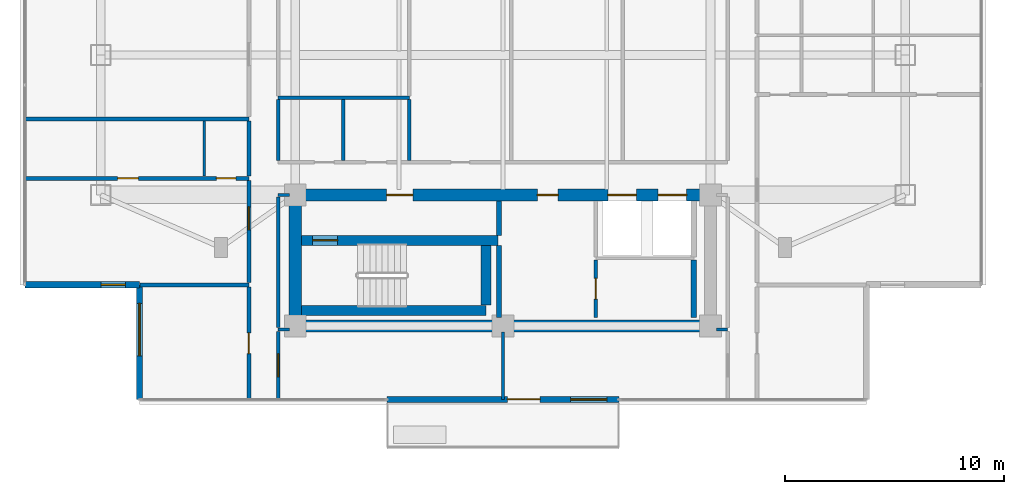
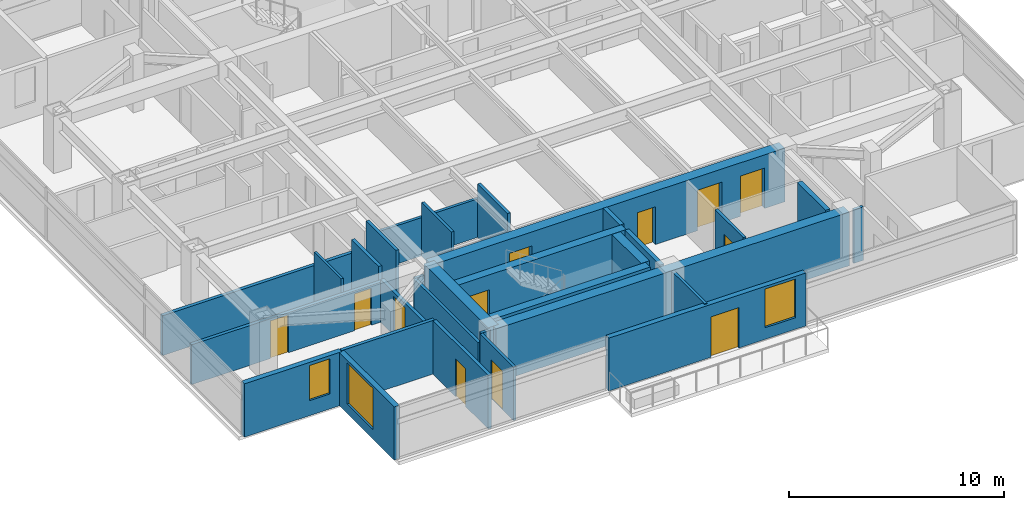
# One storey, part 12 of 25: 30 walls, 12 doors, 3 windows, 15 openings.
"""IFC4 building model written with IfcOpenShell, lengths in metres."""

from ifc_helpers import new_model, si_unit, direction, frame, frame_2d, origin, place, context, subcontext, project, spatial, rectangle, extrude, material, layer, layer_set, type_object, element, fill, save


model = new_model("IFC4")

# Units and contexts
model_context = context("Model", 3, precision=1e-05, world=origin(), true_north=direction((0.0, 1.0)))
body_context = subcontext(model_context, "Body", "Model", "MODEL_VIEW")
ifc_project = project(units=[si_unit("LENGTHUNIT", "METRE"), si_unit("AREAUNIT", "SQUARE_METRE"), si_unit("VOLUMEUNIT", "CUBIC_METRE"), si_unit("PLANEANGLEUNIT", "RADIAN"), si_unit("MASSUNIT", "GRAM", prefix="KILO")], contexts=[model_context])

# Site, building, storey
site_placement = place(None, origin())
site = spatial("IfcSite", under=ifc_project, at=site_placement, CompositionType="ELEMENT")
building_placement = place(site_placement, origin())
building = spatial("IfcBuilding", under=site, at=building_placement, Name="Mirazonda Arch Towers", CompositionType="ELEMENT")
storey_placement = place(building_placement, frame((0.0, 0.0, 180.39990234375)))
storey = spatial("IfcBuildingStorey", under=building, at=storey_placement, Name="L51", CompositionType="ELEMENT", Elevation=180.39990234375)

# Wall
ifc_material_1 = material(Name="Concrete C50/60", Category="concrete")
ifc_layer_1 = layer(ifc_material_1, 0.449951171875, Name="WALL-CORE-450")
ifc_layer_set_1 = layer_set([ifc_layer_1], Name="Concrete C50/60")
wall_type_1 = type_object("IfcWallType", Name="WALL-CORE-450", PredefinedType="SHEAR", material=ifc_layer_set_1)
wall_1_placement = place(storey_placement, frame((11.27001953125, 13.1201171875, 0.0), z_axis=(0.0, 0.0, 1.0), x_axis=(1.0, 0.0, 0.0)))
element("IfcWall", 1, at=wall_1_placement, inside=storey, type_object=wall_type_1, Name="L51 Stair Core Shear Wall 003", PredefinedType="SHEAR", context=body_context, shape_type="SweptSolid", body=[
    extrude(rectangle(XDim=8.4599609375, YDim=0.449951171875, at=frame_2d((4.22998046875, 0.0))), origin(), (0.0, 0.0, 1.0), 3.050048828125),
])

# Wall, opening, door
wall_2_placement = place(storey_placement, frame((11.27001953125, 16.320068359375, 0.0), z_axis=(0.0, 0.0, 1.0), x_axis=(1.0, 0.0, 0.0)))
wall_2 = element("IfcWall", 2, at=wall_2_placement, inside=storey, type_object=wall_type_1, Name="L51 Stair Core Shear Wall 007", PredefinedType="SHEAR", context=body_context, shape_type="SweptSolid", body=[
    extrude(rectangle(XDim=9.010009765625, YDim=0.449951171875, at=frame_2d((4.5048828125, 0.0))), origin(), (0.0, 0.0, 1.0), 3.050048828125),
])
opening_1_placement = place(wall_2_placement, frame((0.52001953125, 0.0, 0.0)))
opening_1 = element("IfcOpeningElement", 3, at=opening_1_placement, cuts=wall_2, Name="Opening DR-135", PredefinedType="OPENING", context=body_context, shape_type="SweptSolid", body=[
    extrude(rectangle(XDim=1.14990234375, YDim=2.199951171875, at=frame_2d((0.574951171875, 1.10009765625))), frame((0.0, 0.23486328125, 0.0), z_axis=(0.0, -1.0, 0.0), x_axis=(1.0, 0.0, 0.0)), (0.0, 0.0, 1.0), 0.469970703125),
])
ifc_material_2 = material(Name="Architectural Brushed Steel S355", Category="steel")
door_type_1 = type_object("IfcDoorType", Name="DOOR-STAIR-FD90-1150", OperationType="NOTDEFINED", PredefinedType="DOOR", material=ifc_material_2)
door_1_placement = place(opening_1_placement, origin())
door_1 = element("IfcDoor", 4, at=door_1_placement, inside=storey, type_object=door_type_1, Name="L51 Protected Exit Stair South Door", OperationType="SINGLE_SWING_RIGHT", OverallHeight=2.199951171875, OverallWidth=1.14990234375, PredefinedType="DOOR", context=body_context, shape_type="SweptSolid", body=[
    extrude(rectangle(XDim=1.14990234375, YDim=2.199951171875, at=frame_2d((0.574951171875, 1.10009765625))), frame((0.0, 0.02490234375, 0.0), z_axis=(0.0, -1.0, 0.0), x_axis=(1.0, 0.0, 0.0)), (0.0, 0.0, 1.0), 0.050048828125),
])
fill(opening_1, door_1)

# Walls
wall_3_placement = place(storey_placement, frame((19.72998046875, 13.35498046875, 0.0), z_axis=(0.0, 0.0, 1.0), x_axis=(0.0, 1.0, 0.0)))
element("IfcWall", 5, at=wall_3_placement, inside=storey, type_object=wall_type_1, Name="L51 Stair Core Shear Wall 084", PredefinedType="SHEAR", context=body_context, shape_type="SweptSolid", body=[
    extrude(rectangle(XDim=2.72998046875, YDim=0.449951171875, at=frame_2d((1.364990234375, 0.0))), origin(), (0.0, 0.0, 1.0), 3.050048828125),
])
ifc_layer_2 = layer(ifc_material_1, 0.550048828125, Name="WALL-CORE-550")
ifc_layer_set_2 = layer_set([ifc_layer_2], Name="Concrete C50/60")
wall_type_2 = type_object("IfcWallType", Name="WALL-CORE-550", PredefinedType="SHEAR", material=ifc_layer_set_2)
wall_4_placement = place(storey_placement, frame((11.0, 12.39990234375, 0.0), z_axis=(0.0, 0.0, 1.0), x_axis=(1.0, 0.0, 0.0)))
element("IfcWall", 6, at=wall_4_placement, inside=storey, type_object=wall_type_2, Name="L51 T1S-S Core Shear Wall", PredefinedType="SHEAR", context=body_context, shape_type="SweptSolid", body=[
    extrude(rectangle(XDim=19.0, YDim=0.550048828125, at=frame_2d((9.5, 0.0))), origin(), (0.0, 0.0, 1.0), 3.050048828125),
])
wall_5_placement = place(storey_placement, frame((11.0, 12.39990234375, 0.0), z_axis=(0.0, 0.0, 1.0), x_axis=(0.0, 1.0, 0.0)))
element("IfcWall", 7, at=wall_5_placement, inside=storey, type_object=wall_type_2, Name="L51 T1S-W Core Shear Wall", PredefinedType="SHEAR", context=body_context, shape_type="SweptSolid", body=[
    extrude(rectangle(XDim=6.0, YDim=0.550048828125, at=frame_2d((3.0, 0.0))), origin(), (0.0, 0.0, 1.0), 3.050048828125),
])

# Wall, openings, doors
wall_6_placement = place(storey_placement, frame((11.0, 18.39990234375, 0.0), z_axis=(0.0, 0.0, 1.0), x_axis=(1.0, 0.0, 0.0)))
wall_6 = element("IfcWall", 8, at=wall_6_placement, inside=storey, type_object=wall_type_2, Name="L51 T1S-N Core Shear Wall", PredefinedType="SHEAR", context=body_context, shape_type="SweptSolid", body=[
    extrude(rectangle(XDim=19.0, YDim=0.550048828125, at=frame_2d((9.5, 0.0))), origin(), (0.0, 0.0, 1.0), 3.050048828125),
])
opening_2_placement = place(wall_6_placement, frame((4.175048828125, 0.0, 0.0)))
opening_2 = element("IfcOpeningElement", 9, at=opening_2_placement, cuts=wall_6, Name="Opening DR-117", PredefinedType="OPENING", context=body_context, shape_type="SweptSolid", body=[
    extrude(rectangle(XDim=1.199951171875, YDim=2.25, at=frame_2d((0.60009765625, 1.125))), frame((0.0, 0.284912109375, 0.0), z_axis=(0.0, -1.0, 0.0), x_axis=(1.0, 0.0, 0.0)), (0.0, 0.0, 1.0), 0.570068359375),
])
opening_3_placement = place(wall_6_placement, frame((11.074951171875, 0.0, 0.0)))
opening_3 = element("IfcOpeningElement", 10, at=opening_3_placement, cuts=wall_6, Name="Opening DR-104", PredefinedType="OPENING", context=body_context, shape_type="SweptSolid", body=[
    extrude(rectangle(XDim=0.949951171875, YDim=2.14990234375, at=frame_2d((0.47509765625, 1.074951171875))), frame((0.0, 0.284912109375, 0.0), z_axis=(0.0, -1.0, 0.0), x_axis=(1.0, 0.0, 0.0)), (0.0, 0.0, 1.0), 0.570068359375),
])
opening_4_placement = place(wall_6_placement, frame((14.300048828125, 0.0, 0.0)))
opening_4 = element("IfcOpeningElement", 11, at=opening_4_placement, cuts=wall_6, Name="Opening LD-111", PredefinedType="OPENING", context=body_context, shape_type="SweptSolid", body=[
    extrude(rectangle(XDim=1.300048828125, YDim=2.300048828125, at=frame_2d((0.64990234375, 1.14990234375))), frame((0.0, 0.284912109375, 0.0), z_axis=(0.0, -1.0, 0.0), x_axis=(1.0, 0.0, 0.0)), (0.0, 0.0, 1.0), 0.570068359375),
])
opening_5_placement = place(wall_6_placement, frame((16.60009765625, 0.0, 0.0)))
opening_5 = element("IfcOpeningElement", 12, at=opening_5_placement, cuts=wall_6, Name="Opening LD-111", PredefinedType="OPENING", context=body_context, shape_type="SweptSolid", body=[
    extrude(rectangle(XDim=1.300048828125, YDim=2.300048828125, at=frame_2d((0.64990234375, 1.14990234375))), frame((0.0, 0.284912109375, 0.0), z_axis=(0.0, -1.0, 0.0), x_axis=(1.0, 0.0, 0.0)), (0.0, 0.0, 1.0), 0.570068359375),
])
door_type_2 = type_object("IfcDoorType", Name="DOOR-FFL-FD90-1200", OperationType="NOTDEFINED", PredefinedType="DOOR", material=ifc_material_2)
door_2_placement = place(opening_2_placement, origin())
door_2 = element("IfcDoor", 13, at=door_2_placement, inside=storey, type_object=door_type_2, Name="L51 South Core Stair & Lift Lobby Door", OperationType="SINGLE_SWING_LEFT", OverallHeight=2.25, OverallWidth=1.199951171875, PredefinedType="DOOR", context=body_context, shape_type="SweptSolid", body=[
    extrude(rectangle(XDim=1.199951171875, YDim=2.25, at=frame_2d((0.60009765625, 1.125))), frame((0.0, 0.02490234375, 0.0), z_axis=(0.0, -1.0, 0.0), x_axis=(1.0, 0.0, 0.0)), (0.0, 0.0, 1.0), 0.050048828125),
])
fill(opening_2, door_2)
door_type_3 = type_object("IfcDoorType", Name="DOOR-LIFT-LAND-1300", OperationType="NOTDEFINED", PredefinedType="DOOR", material=ifc_material_2)
door_3_placement = place(opening_4_placement, origin())
door_3 = element("IfcDoor", 14, at=door_3_placement, inside=storey, type_object=door_type_3, Name="L51 Lift Landing Sliding Door PL-T1H1", OperationType="DOUBLE_DOOR_SLIDING", OverallHeight=2.300048828125, OverallWidth=1.300048828125, PredefinedType="DOOR", context=body_context, shape_type="SweptSolid", body=[
    extrude(rectangle(XDim=1.300048828125, YDim=2.300048828125, at=frame_2d((0.64990234375, 1.14990234375))), frame((0.0, 0.02490234375, 0.0), z_axis=(0.0, -1.0, 0.0), x_axis=(1.0, 0.0, 0.0)), (0.0, 0.0, 1.0), 0.050048828125),
])
fill(opening_4, door_3)
door_4_placement = place(opening_5_placement, origin())
door_4 = element("IfcDoor", 15, at=door_4_placement, inside=storey, type_object=door_type_3, Name="L51 Lift Landing Sliding Door PL-T1H2", OperationType="DOUBLE_DOOR_SLIDING", OverallHeight=2.300048828125, OverallWidth=1.300048828125, PredefinedType="DOOR", context=body_context, shape_type="SweptSolid", body=[
    extrude(rectangle(XDim=1.300048828125, YDim=2.300048828125, at=frame_2d((0.64990234375, 1.14990234375))), frame((0.0, 0.02490234375, 0.0), z_axis=(0.0, -1.0, 0.0), x_axis=(1.0, 0.0, 0.0)), (0.0, 0.0, 1.0), 0.050048828125),
])
fill(opening_5, door_4)
door_type_4 = type_object("IfcDoorType", Name="DOOR-ROOM-950", OperationType="NOTDEFINED", PredefinedType="DOOR", material=ifc_material_2)
door_5_placement = place(opening_3_placement, origin())
door_5 = element("IfcDoor", 16, at=door_5_placement, inside=storey, type_object=door_type_4, Name="L51 Residents Wine Tasting Lounge Door", OperationType="SINGLE_SWING_LEFT", OverallHeight=2.14990234375, OverallWidth=0.949951171875, PredefinedType="DOOR", context=body_context, shape_type="SweptSolid", body=[
    extrude(rectangle(XDim=0.949951171875, YDim=2.14990234375, at=frame_2d((0.47509765625, 1.074951171875))), frame((0.0, 0.02490234375, 0.0), z_axis=(0.0, -1.0, 0.0), x_axis=(1.0, 0.0, 0.0)), (0.0, 0.0, 1.0), 0.050048828125),
])
fill(opening_3, door_5)

# Wall, openings, door, window
ifc_material_3 = material(Name="Precast Concrete C40/50", Category="concrete")
ifc_layer_3 = layer(ifc_material_3, 0.280029296875, Name="WALL-EXT-WALL-280")
ifc_layer_set_3 = layer_set([ifc_layer_3], Name="Precast Concrete C40/50")
wall_type_3 = type_object("IfcWallType", Name="WALL-EXT-WALL-280", PredefinedType="SOLIDWALL", material=ifc_layer_set_3)
wall_7_placement = place(storey_placement, frame((25.800048828125, 9.0458984375, 0.0), z_axis=(0.0, 0.0, 1.0), x_axis=(-1.0, 0.0, 0.0)))
wall_7 = element("IfcWall", 17, at=wall_7_placement, inside=storey, type_object=wall_type_3, Name="L51 T1 Sky-Terrace Threshold Wall WL-TERR-L51-T1", PredefinedType="SOLIDWALL", context=body_context, shape_type="SweptSolid", body=[
    extrude(rectangle(XDim=10.60009765625, YDim=0.280029296875, at=frame_2d((5.300048828125, 0.0))), origin(), (0.0, 0.0, 1.0), 3.010009765625),
])
opening_6_placement = place(wall_7_placement, frame((0.550048828125, 0.0, 0.659912109375)))
opening_6 = element("IfcOpeningElement", 18, at=opening_6_placement, cuts=wall_7, Name="Opening WN-115", PredefinedType="OPENING", context=body_context, shape_type="SweptSolid", body=[
    extrude(rectangle(XDim=1.64990234375, YDim=2.199951171875, at=frame_2d((0.824951171875, 1.10009765625))), frame((0.0, 0.14990234375, 0.0), z_axis=(0.0, -1.0, 0.0), x_axis=(1.0, 0.0, 0.0)), (0.0, 0.0, 1.0), 0.300048828125),
])
opening_7_placement = place(wall_7_placement, frame((3.60009765625, 0.0, 0.0)))
opening_7 = element("IfcOpeningElement", 19, at=opening_7_placement, cuts=wall_7, Name="Opening DR-116", PredefinedType="OPENING", context=body_context, shape_type="SweptSolid", body=[
    extrude(rectangle(XDim=1.5, YDim=2.300048828125, at=frame_2d((0.75, 1.14990234375))), frame((0.0, 0.14990234375, 0.0), z_axis=(0.0, -1.0, 0.0), x_axis=(1.0, 0.0, 0.0)), (0.0, 0.0, 1.0), 0.300048828125),
])
ifc_material_4 = material(Name="Architectural Hardwood Timber", Category="wood")
door_type_5 = type_object("IfcDoorType", Name="DOOR-TERR-EXT-1500", OperationType="NOTDEFINED", PredefinedType="DOOR", material=ifc_material_4)
door_6_placement = place(opening_7_placement, origin())
door_6 = element("IfcDoor", 20, at=door_6_placement, inside=storey, type_object=door_type_5, Name="L51 Exterior Door DR-TERR-L51-T1", OperationType="SINGLE_SWING_LEFT", OverallHeight=2.300048828125, OverallWidth=1.5, PredefinedType="DOOR", context=body_context, shape_type="SweptSolid", body=[
    extrude(rectangle(XDim=1.5, YDim=2.300048828125, at=frame_2d((0.75, 1.14990234375))), frame((0.0, 0.02490234375, 0.0), z_axis=(0.0, -1.0, 0.0), x_axis=(1.0, 0.0, 0.0)), (0.0, 0.0, 1.0), 0.050048828125),
])
fill(opening_7, door_6)
ifc_material_5 = material(Name="Insulated Low-E Solar Glass", Category="glass")
window_type_1 = type_object("IfcWindowType", Name="WIN-RES-1650x2200", PartitioningType="SINGLE_PANEL", PredefinedType="WINDOW", material=ifc_material_5)
window_1_placement = place(opening_6_placement, origin())
window_1 = element("IfcWindow", 21, at=window_1_placement, inside=storey, type_object=window_type_1, Name="L51 Punched Facade Window WN-TERR-L51-T1", OverallHeight=2.199951171875, OverallWidth=1.64990234375, PartitioningType="SINGLE_PANEL", PredefinedType="WINDOW", context=body_context, shape_type="SweptSolid", body=[
    extrude(rectangle(XDim=1.64990234375, YDim=2.199951171875, at=frame_2d((0.824951171875, 1.10009765625))), frame((0.0, 0.030029296875, 0.0), z_axis=(0.0, -1.0, 0.0), x_axis=(1.0, 0.0, 0.0)), (0.0, 0.0, 1.0), 0.06005859375),
])
fill(opening_6, window_1)

# Wall, opening, window
wall_8_placement = place(storey_placement, frame((3.875, 14.291015625, 0.0), z_axis=(0.0, 0.0, 1.0), x_axis=(0.0, -1.0, 0.0)))
wall_8 = element("IfcWall", 22, at=wall_8_placement, inside=storey, type_object=wall_type_3, Name="L51 T1 Notched SW Corner Wall WL-L51-T1-CSW", PredefinedType="SOLIDWALL", context=body_context, shape_type="SweptSolid", body=[
    extrude(rectangle(XDim=5.2451171875, YDim=0.280029296875, at=frame_2d((2.62255859375, 0.0))), origin(), (0.0, 0.0, 1.0), 3.030029296875),
])
opening_8_placement = place(wall_8_placement, frame((0.85009765625, 0.0, 0.530029296875)))
opening_8 = element("IfcOpeningElement", 23, at=opening_8_placement, cuts=wall_8, Name="Opening WN-121", PredefinedType="OPENING", context=body_context, shape_type="SweptSolid", body=[
    extrude(rectangle(XDim=2.39990234375, YDim=2.35009765625, at=frame_2d((1.199951171875, 1.175048828125))), frame((0.0, 0.14990234375, 0.0), z_axis=(0.0, -1.0, 0.0), x_axis=(1.0, 0.0, 0.0)), (0.0, 0.0, 1.0), 0.300048828125),
])
window_type_2 = type_object("IfcWindowType", Name="WIN-PENT-2400x2350", PartitioningType="SINGLE_PANEL", PredefinedType="WINDOW", material=ifc_material_5)
window_2_placement = place(opening_8_placement, origin())
window_2 = element("IfcWindow", 24, at=window_2_placement, inside=storey, type_object=window_type_2, Name="L51 Punched Facade Window WN-L51-T1-CSW", OverallHeight=2.35009765625, OverallWidth=2.39990234375, PartitioningType="SINGLE_PANEL", PredefinedType="WINDOW", context=body_context, shape_type="SweptSolid", body=[
    extrude(rectangle(XDim=2.39990234375, YDim=2.35009765625, at=frame_2d((1.199951171875, 1.175048828125))), frame((0.0, 0.030029296875, 0.0), z_axis=(0.0, -1.0, 0.0), x_axis=(1.0, 0.0, 0.0)), (0.0, 0.0, 1.0), 0.06005859375),
])
fill(opening_8, window_2)

wall_9_placement = place(storey_placement, frame((-1.3701171875, 14.291015625, 0.0), z_axis=(0.0, 0.0, 1.0), x_axis=(1.0, 0.0, 0.0)))
wall_9 = element("IfcWall", 25, at=wall_9_placement, inside=storey, type_object=wall_type_3, Name="L51 T1 Corner Notch Return Wall WL-L51-T1-CSW2", PredefinedType="SOLIDWALL", context=body_context, shape_type="SweptSolid", body=[
    extrude(rectangle(XDim=5.2451171875, YDim=0.280029296875, at=frame_2d((2.62255859375, 0.0))), origin(), (0.0, 0.0, 1.0), 3.030029296875),
])
opening_9_placement = place(wall_9_placement, frame((3.4951171875, 0.0, 0.85009765625)))
opening_9 = element("IfcOpeningElement", 26, at=opening_9_placement, cuts=wall_9, Name="Opening WN-108", PredefinedType="OPENING", context=body_context, shape_type="SweptSolid", body=[
    extrude(rectangle(XDim=1.10009765625, YDim=2.0, at=frame_2d((0.550048828125, 1.0))), frame((0.0, 0.14990234375, 0.0), z_axis=(0.0, -1.0, 0.0), x_axis=(1.0, 0.0, 0.0)), (0.0, 0.0, 1.0), 0.300048828125),
])
window_type_3 = type_object("IfcWindowType", Name="WIN-NOTCH-1100x2000", PartitioningType="SINGLE_PANEL", PredefinedType="WINDOW", material=ifc_material_5)
window_3_placement = place(opening_9_placement, origin())
window_3 = element("IfcWindow", 27, at=window_3_placement, inside=storey, type_object=window_type_3, Name="L51 Punched Facade Window WN-L51-T1-CSW2", OverallHeight=2.0, OverallWidth=1.10009765625, PartitioningType="SINGLE_PANEL", PredefinedType="WINDOW", context=body_context, shape_type="SweptSolid", body=[
    extrude(rectangle(XDim=1.10009765625, YDim=2.0, at=frame_2d((0.550048828125, 1.0))), frame((0.0, 0.030029296875, 0.0), z_axis=(0.0, -1.0, 0.0), x_axis=(1.0, 0.0, 0.0)), (0.0, 0.0, 1.0), 0.06005859375),
])
fill(opening_9, window_3)

# Walls
ifc_material_6 = material(Name="Concrete C40/50", Category="concrete")
ifc_layer_4 = layer(ifc_material_6, 0.219970703125, Name="WALL-FFL-220")
ifc_layer_set_4 = layer_set([ifc_layer_4], Name="Concrete C40/50")
wall_type_4 = type_object("IfcWallType", Name="WALL-FFL-220", PredefinedType="SOLIDWALL", material=ifc_layer_set_4)
wall_10_placement = place(storey_placement, frame((20.31494140625, 12.800048828125, 0.0), z_axis=(0.0, 0.0, 1.0), x_axis=(0.0, 1.0, 0.0)))
element("IfcWall", 28, at=wall_10_placement, inside=storey, type_object=wall_type_4, Name="L51 Interior Partition 086", PredefinedType="SOLIDWALL", context=body_context, shape_type="SweptSolid", body=[
    extrude(rectangle(XDim=3.284912109375, YDim=0.219970703125, at=frame_2d((1.642578125, 0.0))), origin(), (0.0, 0.0, 1.0), 3.050048828125),
])
wall_11_placement = place(storey_placement, frame((20.31494140625, 16.554931640625, 0.0), z_axis=(0.0, 0.0, 1.0), x_axis=(0.0, 1.0, 0.0)))
element("IfcWall", 29, at=wall_11_placement, inside=storey, type_object=wall_type_4, Name="L51 Interior Partition 087", PredefinedType="SOLIDWALL", context=body_context, shape_type="SweptSolid", body=[
    extrude(rectangle(XDim=1.574951171875, YDim=0.219970703125, at=frame_2d((0.78759765625, 0.0))), origin(), (0.0, 0.0, 1.0), 3.050048828125),
])
ifc_material_7 = material(Name="Fire-Rated Gypsum Stud Partition")
ifc_layer_5 = layer(ifc_material_7, 0.14990234375, Name="WALL-PART-CORR-150")
ifc_layer_set_5 = layer_set([ifc_layer_5], Name="Fire-Rated Gypsum Stud Partition")
wall_type_5 = type_object("IfcWallType", Name="WALL-PART-CORR-150", PredefinedType="PARTITIONING", material=ifc_layer_set_5)
for number, where, z_axis, x_axis, name in (
    (30, (10.219970703125, 12.25, 0.0), (0.0, 0.0, 1.0), (1.0, 0.0, 0.0), "L51 Interior Partition 001"),
    (31, (30.27001953125, 12.25, 0.0), (0.0, 0.0, 1.0), (1.0, 0.0, 0.0), "L51 Interior Partition 002"),
):
    element("IfcWall", number, at=place(storey_placement, frame(where, z_axis=z_axis, x_axis=x_axis)), inside=storey, type_object=wall_type_5, Name=name, PredefinedType="PARTITIONING", context=body_context, shape_type="SweptSolid", body=[
        extrude(rectangle(XDim=0.510009765625, YDim=0.14990234375, at=frame_2d((0.2548828125, 0.0))), origin(), (0.0, 0.0, 1.0), 3.050048828125),
    ])
wall_12_placement = place(storey_placement, frame((10.219970703125, 18.39990234375, 0.0), z_axis=(0.0, 0.0, 1.0), x_axis=(1.0, 0.0, 0.0)))
element("IfcWall", 32, at=wall_12_placement, inside=storey, type_object=wall_type_5, Name="L51 Interior Partition 011", PredefinedType="PARTITIONING", context=body_context, shape_type="SweptSolid", body=[
    extrude(rectangle(XDim=0.510009765625, YDim=0.14990234375, at=frame_2d((0.2548828125, 0.0))), origin(), (0.0, 0.0, 1.0), 2.442138671875),
])
wall_13_placement = place(storey_placement, frame((10.219970703125, 22.85009765625, 0.0), z_axis=(0.0, 0.0, 1.0), x_axis=(1.0, 0.0, 0.0)))
element("IfcWall", 33, at=wall_13_placement, inside=storey, type_object=wall_type_5, Name="L51 Interior Partition 023", PredefinedType="PARTITIONING", context=body_context, shape_type="SweptSolid", body=[
    extrude(rectangle(XDim=6.0, YDim=0.14990234375, at=frame_2d((3.0, 0.0))), origin(), (0.0, 0.0, 1.0), 2.18603515625),
])

# Wall, opening, door
wall_14_placement = place(storey_placement, frame((10.219970703125, 9.0458984375, 0.0), z_axis=(0.0, 0.0, 1.0), x_axis=(0.0, 1.0, 0.0)))
wall_14 = element("IfcWall", 34, at=wall_14_placement, inside=storey, type_object=wall_type_5, Name="L51 Interior Partition 073", PredefinedType="PARTITIONING", context=body_context, shape_type="SweptSolid", body=[
    extrude(rectangle(XDim=3.119140625, YDim=0.14990234375, at=frame_2d((1.5595703125, 0.0))), origin(), (0.0, 0.0, 1.0), 3.050048828125),
])
opening_10_placement = place(wall_14_placement, frame((1.034423828125, 0.0, 0.0)))
opening_10 = element("IfcOpeningElement", 35, at=opening_10_placement, cuts=wall_14, Name="Opening DR-121", PredefinedType="OPENING", context=body_context, shape_type="SweptSolid", body=[
    extrude(rectangle(XDim=1.050048828125, YDim=2.199951171875, at=frame_2d((0.52490234375, 1.10009765625))), frame((0.0, 0.0849609375, 0.0), z_axis=(0.0, -1.0, 0.0), x_axis=(1.0, 0.0, 0.0)), (0.0, 0.0, 1.0), 0.169921875),
])
door_type_6 = type_object("IfcDoorType", Name="DOOR-SUITE-FD60-1050", OperationType="NOTDEFINED", PredefinedType="DOOR", material=ifc_material_2)
door_7_placement = place(opening_10_placement, origin())
door_7 = element("IfcDoor", 36, at=door_7_placement, inside=storey, type_object=door_type_6, Name="L51 South Panoramic Study West Door", OperationType="SINGLE_SWING_LEFT", OverallHeight=2.199951171875, OverallWidth=1.050048828125, PredefinedType="DOOR", context=body_context, shape_type="SweptSolid", body=[
    extrude(rectangle(XDim=1.050048828125, YDim=2.199951171875, at=frame_2d((0.52490234375, 1.10009765625))), frame((0.0, 0.02490234375, 0.0), z_axis=(0.0, -1.0, 0.0), x_axis=(1.0, 0.0, 0.0)), (0.0, 0.0, 1.0), 0.050048828125),
])
fill(opening_10, door_7)

# Walls
wall_15_placement = place(storey_placement, frame((10.219970703125, 12.3349609375, 0.0), z_axis=(0.0, 0.0, 1.0), x_axis=(0.0, 1.0, 0.0)))
element("IfcWall", 37, at=wall_15_placement, inside=storey, type_object=wall_type_5, Name="L51 Interior Partition 074", PredefinedType="PARTITIONING", context=body_context, shape_type="SweptSolid", body=[
    extrude(rectangle(XDim=5.97998046875, YDim=0.14990234375, at=frame_2d((2.989990234375, 0.0))), origin(), (0.0, 0.0, 1.0), 2.442138671875),
])
for number, where, z_axis, x_axis, name in (
    (38, (10.219970703125, 19.985107421875, 0.0), (0.0, 0.0, 1.0), (0.0, 1.0, 0.0), "L51 Interior Partition 075"),
    (39, (13.199951171875, 19.985107421875, 0.0), (0.0, 0.0, 1.0), (0.0, 1.0, 0.0), "L51 Interior Partition 080"),
    (40, (16.219970703125, 19.985107421875, 0.0), (0.0, 0.0, 1.0), (0.0, 1.0, 0.0), "L51 Interior Partition 082"),
):
    element("IfcWall", number, at=place(storey_placement, frame(where, z_axis=z_axis, x_axis=x_axis)), inside=storey, type_object=wall_type_5, Name=name, PredefinedType="PARTITIONING", context=body_context, shape_type="SweptSolid", body=[
        extrude(rectangle(XDim=2.77978515625, YDim=0.14990234375, at=frame_2d((1.389892578125, 0.0))), origin(), (0.0, 0.0, 1.0), 3.050048828125),
    ])
wall_16_placement = place(storey_placement, frame((20.5, 9.0458984375, 0.0), z_axis=(0.0, 0.0, 1.0), x_axis=(0.0, 1.0, 0.0)))
element("IfcWall", 41, at=wall_16_placement, inside=storey, type_object=wall_type_5, Name="L51 Interior Partition 089", PredefinedType="PARTITIONING", context=body_context, shape_type="SweptSolid", body=[
    extrude(rectangle(XDim=3.083984375, YDim=0.14990234375, at=frame_2d((1.5419921875, 0.0))), origin(), (0.0, 0.0, 1.0), 3.050048828125),
])

# Wall, opening, door
wall_17_placement = place(storey_placement, frame((24.75, 12.800048828125, 0.0), z_axis=(0.0, 0.0, 1.0), x_axis=(0.0, 1.0, 0.0)))
wall_17 = element("IfcWall", 42, at=wall_17_placement, inside=storey, type_object=wall_type_5, Name="L51 Interior Partition 092", PredefinedType="PARTITIONING", context=body_context, shape_type="SweptSolid", body=[
    extrude(rectangle(XDim=2.62744140625, YDim=0.14990234375, at=frame_2d((1.313720703125, 0.0))), origin(), (0.0, 0.0, 1.0), 3.050048828125),
])
opening_11_placement = place(wall_17_placement, frame((0.838623046875, 0.0, 0.0)))
opening_11 = element("IfcOpeningElement", 43, at=opening_11_placement, cuts=wall_17, Name="Opening DR-104", PredefinedType="OPENING", context=body_context, shape_type="SweptSolid", body=[
    extrude(rectangle(XDim=0.949951171875, YDim=2.14990234375, at=frame_2d((0.47509765625, 1.074951171875))), frame((0.0, 0.0849609375, 0.0), z_axis=(0.0, -1.0, 0.0), x_axis=(1.0, 0.0, 0.0)), (0.0, 0.0, 1.0), 0.169921875),
])
door_8_placement = place(opening_11_placement, origin())
door_8 = element("IfcDoor", 44, at=door_8_placement, inside=storey, type_object=door_type_4, Name="L51 Residents Private Archive Study Door", OperationType="SINGLE_SWING_RIGHT", OverallHeight=2.14990234375, OverallWidth=0.949951171875, PredefinedType="DOOR", context=body_context, shape_type="SweptSolid", body=[
    extrude(rectangle(XDim=0.949951171875, YDim=2.14990234375, at=frame_2d((0.47509765625, 1.074951171875))), frame((0.0, 0.02490234375, 0.0), z_axis=(0.0, -1.0, 0.0), x_axis=(1.0, 0.0, 0.0)), (0.0, 0.0, 1.0), 0.050048828125),
])
fill(opening_11, door_8)

# Wall
ifc_material_8 = material(Name="Fire-Rated Gypsum Twin-Stud Assembly")
ifc_layer_6 = layer(ifc_material_8, 0.179931640625, Name="WALL-PART-DEMISE-180")
ifc_layer_set_6 = layer_set([ifc_layer_6], Name="Fire-Rated Gypsum Twin-Stud Assembly")
wall_type_6 = type_object("IfcWallType", Name="WALL-PART-DEMISE-180", PredefinedType="PARTITIONING", material=ifc_layer_set_6)
wall_18_placement = place(storey_placement, frame((3.89501953125, 14.291015625, 0.0), z_axis=(0.0, 0.0, 1.0), x_axis=(1.0, 0.0, 0.0)))
element("IfcWall", 45, at=wall_18_placement, inside=storey, type_object=wall_type_6, Name="L51 Interior Partition 004", PredefinedType="PARTITIONING", context=body_context, shape_type="SweptSolid", body=[
    extrude(rectangle(XDim=4.98486328125, YDim=0.179931640625, at=frame_2d((2.492431640625, 0.0))), origin(), (0.0, 0.0, 1.0), 3.050048828125),
])

# Wall, openings, doors
wall_19_placement = place(storey_placement, frame((-1.3701171875, 19.162109375, 0.0), z_axis=(0.0, 0.0, 1.0), x_axis=(1.0, 0.0, 0.0)))
wall_19 = element("IfcWall", 46, at=wall_19_placement, inside=storey, type_object=wall_type_6, Name="L51 Interior Partition 014", PredefinedType="PARTITIONING", context=body_context, shape_type="SweptSolid", body=[
    extrude(rectangle(XDim=10.25, YDim=0.179931640625, at=frame_2d((5.125, 0.0))), origin(), (0.0, 0.0, 1.0), 2.26904296875),
])
opening_12_placement = place(wall_19_placement, frame((4.25, 0.0, 0.0)))
opening_12 = element("IfcOpeningElement", 47, at=opening_12_placement, cuts=wall_19, Name="Opening DR-104", PredefinedType="OPENING", context=body_context, shape_type="SweptSolid", body=[
    extrude(rectangle(XDim=0.949951171875, YDim=2.14990234375, at=frame_2d((0.47509765625, 1.074951171875))), frame((0.0, 0.099853515625, 0.0), z_axis=(0.0, -1.0, 0.0), x_axis=(1.0, 0.0, 0.0)), (0.0, 0.0, 1.0), 0.199951171875),
])
opening_13_placement = place(wall_19_placement, frame((8.760009765625, 0.0, 0.0)))
opening_13 = element("IfcOpeningElement", 48, at=opening_13_placement, cuts=wall_19, Name="Opening DR-120", PredefinedType="OPENING", context=body_context, shape_type="SweptSolid", body=[
    extrude(rectangle(XDim=0.89990234375, YDim=2.10009765625, at=frame_2d((0.449951171875, 1.050048828125))), frame((0.0, 0.099853515625, 0.0), z_axis=(0.0, -1.0, 0.0), x_axis=(1.0, 0.0, 0.0)), (0.0, 0.0, 1.0), 0.199951171875),
])
door_9_placement = place(opening_12_placement, origin())
door_9 = element("IfcDoor", 49, at=door_9_placement, inside=storey, type_object=door_type_4, Name="L51 Studio 1 Galley Kitchen Door", OperationType="SINGLE_SWING_LEFT", OverallHeight=2.14990234375, OverallWidth=0.949951171875, PredefinedType="DOOR", context=body_context, shape_type="SweptSolid", body=[
    extrude(rectangle(XDim=0.949951171875, YDim=2.14990234375, at=frame_2d((0.47509765625, 1.074951171875))), frame((0.0, 0.02490234375, 0.0), z_axis=(0.0, -1.0, 0.0), x_axis=(1.0, 0.0, 0.0)), (0.0, 0.0, 1.0), 0.050048828125),
])
fill(opening_12, door_9)
door_type_7 = type_object("IfcDoorType", Name="DOOR-WC-900", OperationType="NOTDEFINED", PredefinedType="DOOR", material=ifc_material_2)
door_10_placement = place(opening_13_placement, origin())
door_10 = element("IfcDoor", 50, at=door_10_placement, inside=storey, type_object=door_type_7, Name="L51 Studio 1 Bathroom Door", OperationType="SINGLE_SWING_RIGHT", OverallHeight=2.10009765625, OverallWidth=0.89990234375, PredefinedType="DOOR", context=body_context, shape_type="SweptSolid", body=[
    extrude(rectangle(XDim=0.89990234375, YDim=2.10009765625, at=frame_2d((0.449951171875, 1.050048828125))), frame((0.0, 0.02490234375, 0.0), z_axis=(0.0, -1.0, 0.0), x_axis=(1.0, 0.0, 0.0)), (0.0, 0.0, 1.0), 0.050048828125),
])
fill(opening_13, door_10)

# Wall
wall_20_placement = place(storey_placement, frame((-1.3701171875, 21.882080078125, 0.0), z_axis=(0.0, 0.0, 1.0), x_axis=(1.0, 0.0, 0.0)))
element("IfcWall", 51, at=wall_20_placement, inside=storey, type_object=wall_type_6, Name="L51 Interior Partition 020", PredefinedType="PARTITIONING", context=body_context, shape_type="SweptSolid", body=[
    extrude(rectangle(XDim=10.25, YDim=0.179931640625, at=frame_2d((5.125, 0.0))), origin(), (0.0, 0.0, 1.0), 2.26904296875),
])

# Wall, opening, door
wall_21_placement = place(storey_placement, frame((8.8798828125, 9.0458984375, 0.0), z_axis=(0.0, 0.0, 1.0), x_axis=(0.0, 1.0, 0.0)))
wall_21 = element("IfcWall", 52, at=wall_21_placement, inside=storey, type_object=wall_type_6, Name="L51 Interior Partition 065", PredefinedType="PARTITIONING", context=body_context, shape_type="SweptSolid", body=[
    extrude(rectangle(XDim=5.14501953125, YDim=0.179931640625, at=frame_2d((2.572509765625, 0.0))), origin(), (0.0, 0.0, 1.0), 3.050048828125),
])
opening_14_placement = place(wall_21_placement, frame((2.097412109375, 0.0, 0.0)))
opening_14 = element("IfcOpeningElement", 53, at=opening_14_placement, cuts=wall_21, Name="Opening DR-104", PredefinedType="OPENING", context=body_context, shape_type="SweptSolid", body=[
    extrude(rectangle(XDim=0.949951171875, YDim=2.14990234375, at=frame_2d((0.47509765625, 1.074951171875))), frame((0.0, 0.099853515625, 0.0), z_axis=(0.0, -1.0, 0.0), x_axis=(1.0, 0.0, 0.0)), (0.0, 0.0, 1.0), 0.199951171875),
])
door_11_placement = place(opening_14_placement, origin())
door_11 = element("IfcDoor", 54, at=door_11_placement, inside=storey, type_object=door_type_4, Name="L51 South Panoramic Study Alcove West Door", OperationType="SINGLE_SWING_LEFT", OverallHeight=2.14990234375, OverallWidth=0.949951171875, PredefinedType="DOOR", context=body_context, shape_type="SweptSolid", body=[
    extrude(rectangle(XDim=0.949951171875, YDim=2.14990234375, at=frame_2d((0.47509765625, 1.074951171875))), frame((0.0, 0.02490234375, 0.0), z_axis=(0.0, -1.0, 0.0), x_axis=(1.0, 0.0, 0.0)), (0.0, 0.0, 1.0), 0.050048828125),
])
fill(opening_14, door_11)

wall_22_placement = place(storey_placement, frame((8.8798828125, 14.39111328125, 0.0), z_axis=(0.0, 0.0, 1.0), x_axis=(0.0, 1.0, 0.0)))
wall_22 = element("IfcWall", 55, at=wall_22_placement, inside=storey, type_object=wall_type_6, Name="L51 Interior Partition 066", PredefinedType="PARTITIONING", context=body_context, shape_type="SweptSolid", body=[
    extrude(rectangle(XDim=4.6708984375, YDim=0.179931640625, at=frame_2d((2.33544921875, 0.0))), origin(), (0.0, 0.0, 1.0), 2.442138671875),
])
opening_15_placement = place(wall_22_placement, frame((2.410400390625, 0.0, 0.0)))
opening_15 = element("IfcOpeningElement", 56, at=opening_15_placement, cuts=wall_22, Name="Opening DR-121", PredefinedType="OPENING", context=body_context, shape_type="SweptSolid", body=[
    extrude(rectangle(XDim=1.050048828125, YDim=2.199951171875, at=frame_2d((0.52490234375, 1.10009765625))), frame((0.0, 0.099853515625, 0.0), z_axis=(0.0, -1.0, 0.0), x_axis=(1.0, 0.0, 0.0)), (0.0, 0.0, 1.0), 0.199951171875),
])
door_12_placement = place(opening_15_placement, origin())
door_12 = element("IfcDoor", 57, at=door_12_placement, inside=storey, type_object=door_type_6, Name="L51 Studio Apartment 1 Living Salon Door", OperationType="SINGLE_SWING_RIGHT", OverallHeight=2.199951171875, OverallWidth=1.050048828125, PredefinedType="DOOR", context=body_context, shape_type="SweptSolid", body=[
    extrude(rectangle(XDim=1.050048828125, YDim=2.199951171875, at=frame_2d((0.52490234375, 1.10009765625))), frame((0.0, 0.02490234375, 0.0), z_axis=(0.0, -1.0, 0.0), x_axis=(1.0, 0.0, 0.0)), (0.0, 0.0, 1.0), 0.050048828125),
])
fill(opening_15, door_12)

# Walls
wall_23_placement = place(storey_placement, frame((8.8798828125, 19.261962890625, 0.0), z_axis=(0.0, 0.0, 1.0), x_axis=(0.0, 1.0, 0.0)))
element("IfcWall", 58, at=wall_23_placement, inside=storey, type_object=wall_type_6, Name="L51 Interior Partition 067", PredefinedType="PARTITIONING", context=body_context, shape_type="SweptSolid", body=[
    extrude(rectangle(XDim=2.52001953125, YDim=0.179931640625, at=frame_2d((1.260009765625, 0.0))), origin(), (0.0, 0.0, 1.0), 3.050048828125),
])
ifc_material_9 = material(Name="Acoustic Fire-Rated Gypsum Partition")
ifc_layer_7 = layer(ifc_material_9, 0.125, Name="WALL-PART-UNIT-125")
ifc_layer_set_7 = layer_set([ifc_layer_7], Name="Acoustic Fire-Rated Gypsum Partition")
wall_type_7 = type_object("IfcWallType", Name="WALL-PART-UNIT-125", PredefinedType="PARTITIONING", material=ifc_layer_set_7)
wall_24_placement = place(storey_placement, frame((6.840087890625, 19.261962890625, 0.0), z_axis=(0.0, 0.0, 1.0), x_axis=(0.0, 1.0, 0.0)))
element("IfcWall", 59, at=wall_24_placement, inside=storey, type_object=wall_type_7, Name="L51 Interior Partition 062", PredefinedType="PARTITIONING", context=body_context, shape_type="SweptSolid", body=[
    extrude(rectangle(XDim=2.52001953125, YDim=0.125, at=frame_2d((1.260009765625, 0.0))), origin(), (0.0, 0.0, 1.0), 3.050048828125),
])
ifc_layer_8 = layer(ifc_material_6, 0.25, Name="WALL-SHAFT-250")
ifc_layer_set_8 = layer_set([ifc_layer_8], Name="Concrete C40/50")
wall_type_8 = type_object("IfcWallType", Name="WALL-SHAFT-250", PredefinedType="SOLIDWALL", material=ifc_layer_set_8)
wall_25_placement = place(storey_placement, frame((29.22509765625, 12.800048828125, 0.0), z_axis=(0.0, 0.0, 1.0), x_axis=(0.0, 1.0, 0.0)))
element("IfcWall", 60, at=wall_25_placement, inside=storey, type_object=wall_type_8, Name="L51 Interior Partition 098", PredefinedType="SOLIDWALL", context=body_context, shape_type="SweptSolid", body=[
    extrude(rectangle(XDim=2.62744140625, YDim=0.25, at=frame_2d((1.313720703125, 0.0))), origin(), (0.0, 0.0, 1.0), 3.050048828125),
])

save(model, "model.ifc")
